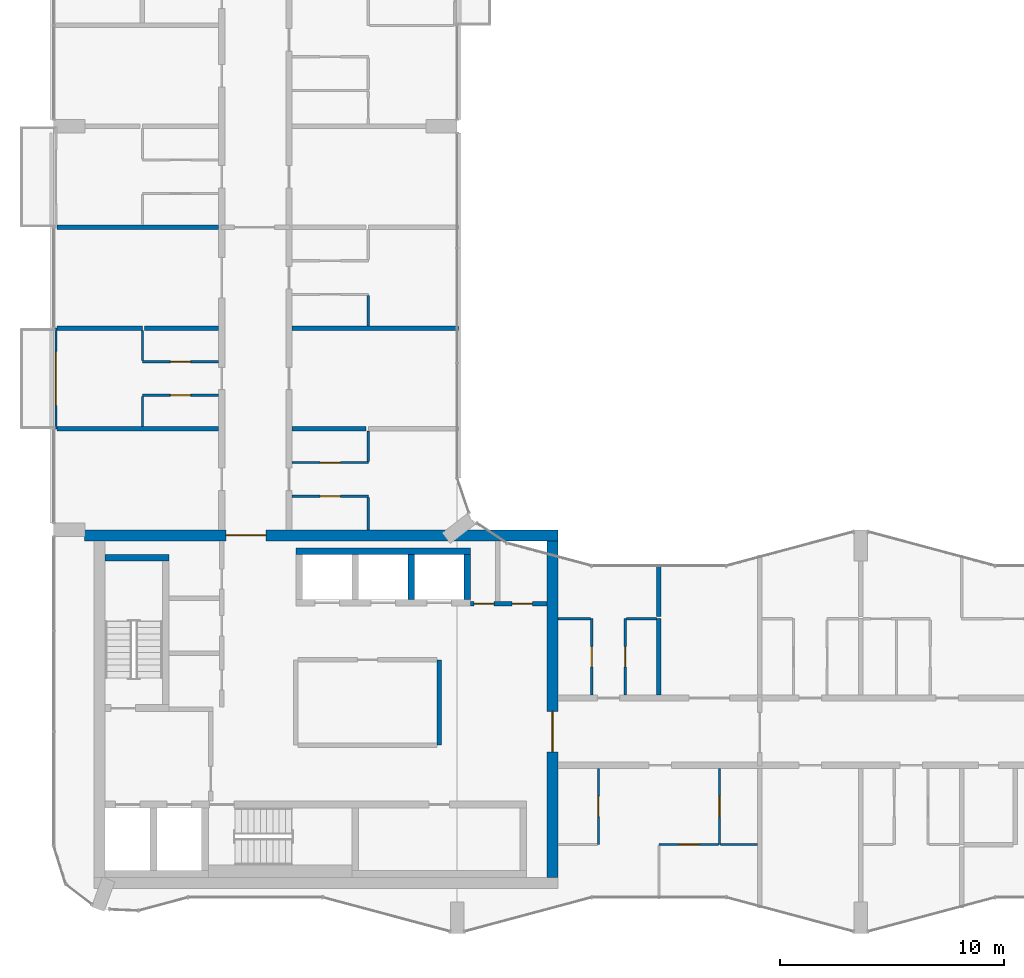
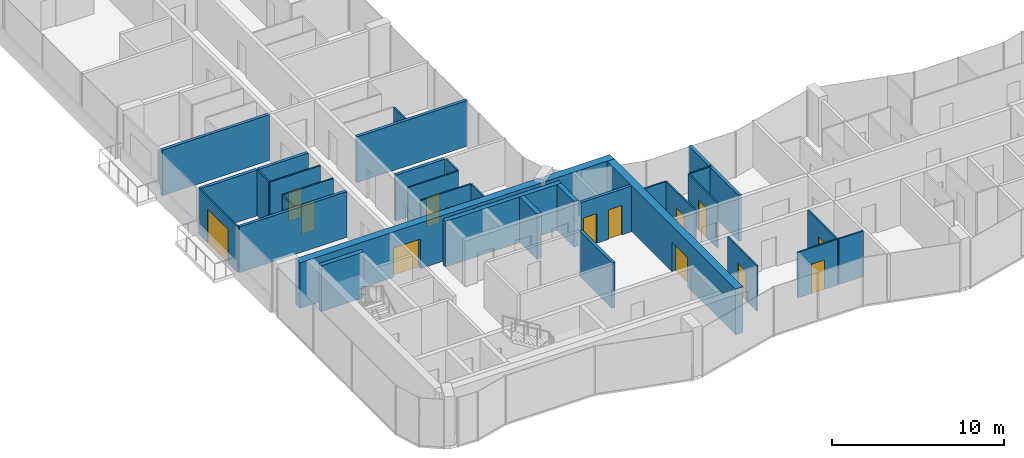
# One storey, part 10 of 16: 34 walls, 14 doors, 14 openings.
"""IFC4 building model written with IfcOpenShell, lengths in metres."""

from ifc_helpers import new_model, si_unit, direction, frame, frame_2d, origin, place, context, subcontext, project, spatial, rectangle, extrude, material, layer, layer_set, type_object, element, fill, save


model = new_model("IFC4")

# Units and contexts
model_context = context("Model", 3, precision=1e-05, world=origin(), true_north=direction((0.0, 1.0)))
body_context = subcontext(model_context, "Body", "Model", "MODEL_VIEW")
ifc_project = project(units=[si_unit("LENGTHUNIT", "METRE"), si_unit("AREAUNIT", "SQUARE_METRE"), si_unit("VOLUMEUNIT", "CUBIC_METRE"), si_unit("PLANEANGLEUNIT", "RADIAN"), si_unit("MASSUNIT", "GRAM", prefix="KILO")], contexts=[model_context])

# Site, building, storey
site_placement = place(None, origin())
site = spatial("IfcSite", under=ifc_project, at=site_placement, CompositionType="ELEMENT")
building_placement = place(site_placement, origin())
building = spatial("IfcBuilding", under=site, at=building_placement, Name="Plateau Cross Towers", CompositionType="ELEMENT")
storey_placement = place(building_placement, frame((0.0, 0.0, 215.39990234375)))
storey = spatial("IfcBuildingStorey", under=building, at=storey_placement, Name="L56", CompositionType="ELEMENT", Elevation=215.39990234375)

# Wall, opening, door
ifc_material_1 = material(Name="Aluminium framed glazing", Category="aluminium")
ifc_layer_1 = layer(ifc_material_1, 0.10009765625)
ifc_layer_set_1 = layer_set([ifc_layer_1], Name="Aluminium framed glazing")
wall_type_1 = type_object("IfcWallType", Name="Balcony screen wall 100", PredefinedType="STANDARD", material=ifc_layer_set_1)
wall_1_placement = place(storey_placement, frame((0.10009765625, 22.5, 0.0), z_axis=(0.0, 0.0, 1.0), x_axis=(0.0, 1.0, 0.0)))
wall_1 = element("IfcWall", 1, at=wall_1_placement, inside=storey, type_object=wall_type_1, Name="Balcony screen wall A-BAL-L56-01", PredefinedType="STANDARD", context=body_context, shape_type="SweptSolid", body=[
    extrude(rectangle(XDim=4.5, YDim=0.10009765625, at=frame_2d((2.25, 0.0))), origin(), (0.0, 0.0, 1.0), 3.25),
])
opening_1_placement = place(wall_1_placement, frame((1.050048828125, 0.0, 0.0)))
opening_1 = element("IfcOpeningElement", 2, at=opening_1_placement, cuts=wall_1, Name="Opening D-B24", PredefinedType="OPENING", context=body_context, shape_type="SweptSolid", body=[
    extrude(rectangle(XDim=2.39990234375, YDim=2.39990234375, at=frame_2d((1.199951171875, 1.199951171875))), frame((0.0, 0.06005859375, 0.0), z_axis=(0.0, -1.0, 0.0), x_axis=(1.0, 0.0, 0.0)), (0.0, 0.0, 1.0), 0.1201171875),
])
ifc_material_2 = material(Name="Aluminium frame, double glazing", Category="aluminium")
door_type_1 = type_object("IfcDoorType", Name="Balcony sliding door 2400", OperationType="NOTDEFINED", PredefinedType="DOOR", material=ifc_material_2)
door_1_placement = place(opening_1_placement, origin())
door_1 = element("IfcDoor", 3, at=door_1_placement, inside=storey, type_object=door_type_1, Name="Balcony door A-BAL-L56-01", OperationType="SINGLE_SWING_LEFT", OverallHeight=2.39990234375, OverallWidth=2.39990234375, PredefinedType="DOOR", context=body_context, shape_type="SweptSolid", body=[
    extrude(rectangle(XDim=2.39990234375, YDim=2.39990234375, at=frame_2d((1.199951171875, 1.199951171875))), frame((0.0, 0.02490234375, 0.0), z_axis=(0.0, -1.0, 0.0), x_axis=(1.0, 0.0, 0.0)), (0.0, 0.0, 1.0), 0.050048828125),
])
fill(opening_1, door_1)

# Wall
ifc_material_3 = material(Name="Concrete block, plastered both sides", Category="concrete")
ifc_layer_2 = layer(ifc_material_3, 0.199951171875)
ifc_layer_set_2 = layer_set([ifc_layer_2], Name="Concrete block, plastered both sides")
wall_type_2 = type_object("IfcWallType", Name="Core partition 200", PredefinedType="PARTITIONING", material=ifc_layer_set_2)
wall_2_placement = place(storey_placement, frame((17.199951171875, 8.39990234375, 0.0), z_axis=(0.0, 0.0, 1.0), x_axis=(0.0, 1.0, 0.0)))
element("IfcWall", 4, at=wall_2_placement, inside=storey, type_object=wall_type_2, Name="Core partition", PredefinedType="PARTITIONING", context=body_context, shape_type="SweptSolid", body=[
    extrude(rectangle(XDim=3.800048828125, YDim=0.199951171875, at=frame_2d((1.89990234375, 0.0))), origin(), (0.0, 0.0, 1.0), 3.25),
])

# Wall, openings, doors
wall_3_placement = place(storey_placement, frame((18.60009765625, 14.699951171875, 0.0), z_axis=(0.0, 0.0, 1.0), x_axis=(1.0, 0.0, 0.0)))
wall_3 = element("IfcWall", 5, at=wall_3_placement, inside=storey, type_object=wall_type_2, Name="Core partition", PredefinedType="PARTITIONING", context=body_context, shape_type="SweptSolid", body=[
    extrude(rectangle(XDim=3.39990234375, YDim=0.199951171875, at=frame_2d((1.699951171875, 0.0))), origin(), (0.0, 0.0, 1.0), 3.25),
])
opening_2_placement = place(wall_3_placement, frame((0.14990234375, 0.0, 0.0)))
opening_2 = element("IfcOpeningElement", 6, at=opening_2_placement, cuts=wall_3, Name="Opening RD2", PredefinedType="OPENING", context=body_context, shape_type="SweptSolid", body=[
    extrude(rectangle(XDim=0.89990234375, YDim=2.10009765625, at=frame_2d((0.449951171875, 1.050048828125))), frame((0.0, 0.10986328125, 0.0), z_axis=(0.0, -1.0, 0.0), x_axis=(1.0, 0.0, 0.0)), (0.0, 0.0, 1.0), 0.219970703125),
])
opening_3_placement = place(wall_3_placement, frame((1.85009765625, 0.0, 0.0)))
opening_3 = element("IfcOpeningElement", 7, at=opening_3_placement, cuts=wall_3, Name="Opening RD2", PredefinedType="OPENING", context=body_context, shape_type="SweptSolid", body=[
    extrude(rectangle(XDim=0.89990234375, YDim=2.10009765625, at=frame_2d((0.449951171875, 1.050048828125))), frame((0.0, 0.10986328125, 0.0), z_axis=(0.0, -1.0, 0.0), x_axis=(1.0, 0.0, 0.0)), (0.0, 0.0, 1.0), 0.219970703125),
])
ifc_material_4 = material(Name="Steel, fire-resisting leaf", Category="steel")
door_type_2 = type_object("IfcDoorType", Name="Core riser door 900", OperationType="NOTDEFINED", PredefinedType="DOOR", material=ifc_material_4)
door_2_placement = place(opening_2_placement, origin())
door_2 = element("IfcDoor", 8, at=door_2_placement, inside=storey, type_object=door_type_2, Name="Core riser door RD2", OperationType="SINGLE_SWING_LEFT", OverallHeight=2.10009765625, OverallWidth=0.89990234375, PredefinedType="DOOR", context=body_context, shape_type="SweptSolid", body=[
    extrude(rectangle(XDim=0.89990234375, YDim=2.10009765625, at=frame_2d((0.449951171875, 1.050048828125))), frame((0.0, 0.02490234375, 0.0), z_axis=(0.0, -1.0, 0.0), x_axis=(1.0, 0.0, 0.0)), (0.0, 0.0, 1.0), 0.050048828125),
])
fill(opening_2, door_2)
door_3_placement = place(opening_3_placement, origin())
door_3 = element("IfcDoor", 9, at=door_3_placement, inside=storey, type_object=door_type_2, Name="Core riser door RD2", OperationType="SINGLE_SWING_LEFT", OverallHeight=2.10009765625, OverallWidth=0.89990234375, PredefinedType="DOOR", context=body_context, shape_type="SweptSolid", body=[
    extrude(rectangle(XDim=0.89990234375, YDim=2.10009765625, at=frame_2d((0.449951171875, 1.050048828125))), frame((0.0, 0.02490234375, 0.0), z_axis=(0.0, -1.0, 0.0), x_axis=(1.0, 0.0, 0.0)), (0.0, 0.0, 1.0), 0.050048828125),
])
fill(opening_3, door_3)

# Walls
ifc_material_5 = material(Name="Concrete C60/75", Category="concrete")
ifc_layer_3 = layer(ifc_material_5, 0.300048828125)
ifc_layer_set_3 = layer_set([ifc_layer_3], Name="Concrete C60/75")
wall_type_3 = type_object("IfcWallType", Name="Core shaft wall 300", PredefinedType="SHEAR", material=ifc_layer_set_3)
wall_4_placement = place(storey_placement, frame((2.300048828125, 16.75, 0.0), z_axis=(0.0, 0.0, 1.0), x_axis=(1.0, 0.0, 0.0)))
element("IfcWall", 10, at=wall_4_placement, inside=storey, type_object=wall_type_3, Name="A-st1-N@L56", PredefinedType="SHEAR", context=body_context, shape_type="SweptSolid", body=[
    extrude(rectangle(XDim=2.849853515625, YDim=0.300048828125, at=frame_2d((1.4248046875, 0.0))), origin(), (0.0, 0.0, 1.0), 3.25),
])
wall_5_placement = place(storey_placement, frame((10.800048828125, 17.050048828125, 0.0), z_axis=(0.0, 0.0, 1.0), x_axis=(1.0, 0.0, 0.0)))
element("IfcWall", 11, at=wall_5_placement, inside=storey, type_object=wall_type_3, Name="A-nb-back@L56", PredefinedType="SHEAR", context=body_context, shape_type="SweptSolid", body=[
    extrude(rectangle(XDim=7.800048828125, YDim=0.300048828125, at=frame_2d((3.89990234375, 0.0))), origin(), (0.0, 0.0, 1.0), 3.25),
])
for number, where, z_axis, x_axis, name in (
    (12, (15.949951171875, 14.89990234375, 0.0), (0.0, 0.0, 1.0), (0.0, 1.0, 0.0), "A-nb-v3@L56"),
    (13, (18.449951171875, 14.89990234375, 0.0), (0.0, 0.0, 1.0), (0.0, 1.0, 0.0), "A-nb-v4@L56"),
):
    element("IfcWall", number, at=place(storey_placement, frame(where, z_axis=z_axis, x_axis=x_axis)), inside=storey, type_object=wall_type_3, Name=name, PredefinedType="SHEAR", context=body_context, shape_type="SweptSolid", body=[
        extrude(rectangle(XDim=2.0, YDim=0.300048828125, at=frame_2d((1.0, 0.0))), origin(), (0.0, 0.0, 1.0), 3.25),
    ])

# Wall, opening, door
ifc_layer_4 = layer(ifc_material_5, 0.5)
ifc_layer_set_4 = layer_set([ifc_layer_4], Name="Concrete C60/75")
wall_type_4 = type_object("IfcWallType", Name="Core shell wall 500", PredefinedType="SHEAR", material=ifc_layer_set_4)
wall_6_placement = place(storey_placement, frame((1.3798828125, 17.75, 0.0), z_axis=(0.0, 0.0, 1.0), x_axis=(1.0, 0.0, 0.0)))
wall_6 = element("IfcWall", 14, at=wall_6_placement, inside=storey, type_object=wall_type_4, Name="A-core-N@L56", PredefinedType="SHEAR", context=body_context, shape_type="SweptSolid", body=[
    extrude(rectangle(XDim=21.1201171875, YDim=0.5, at=frame_2d((10.56005859375, 0.0))), origin(), (0.0, 0.0, 1.0), 3.25),
])
opening_4_placement = place(wall_6_placement, frame((6.300048828125, 0.0, 0.0)))
opening_4 = element("IfcOpeningElement", 15, at=opening_4_placement, cuts=wall_6, Name="Opening CD", PredefinedType="OPENING", context=body_context, shape_type="SweptSolid", body=[
    extrude(rectangle(XDim=1.800048828125, YDim=2.10009765625, at=frame_2d((0.89990234375, 1.050048828125))), frame((0.0, 0.260009765625, 0.0), z_axis=(0.0, -1.0, 0.0), x_axis=(1.0, 0.0, 0.0)), (0.0, 0.0, 1.0), 0.52001953125),
])
ifc_material_6 = material(Name="Steel, fire-resisting leaves", Category="steel")
door_type_3 = type_object("IfcDoorType", Name="Corridor door pair 1800", OperationType="NOTDEFINED", PredefinedType="DOOR", material=ifc_material_6)
door_4_placement = place(opening_4_placement, origin())
door_4 = element("IfcDoor", 16, at=door_4_placement, inside=storey, type_object=door_type_3, Name="Corridor door pair CD", OperationType="DOUBLE_DOOR_SINGLE_SWING", OverallHeight=2.10009765625, OverallWidth=1.800048828125, PredefinedType="DOOR", context=body_context, shape_type="SweptSolid", body=[
    extrude(rectangle(XDim=1.800048828125, YDim=2.10009765625, at=frame_2d((0.89990234375, 1.050048828125))), frame((0.0, 0.02490234375, 0.0), z_axis=(0.0, -1.0, 0.0), x_axis=(1.0, 0.0, 0.0)), (0.0, 0.0, 1.0), 0.050048828125),
])
fill(opening_4, door_4)

wall_7_placement = place(storey_placement, frame((22.25, 2.5, 0.0), z_axis=(0.0, 0.0, 1.0), x_axis=(0.0, 1.0, 0.0)))
wall_7 = element("IfcWall", 17, at=wall_7_placement, inside=storey, type_object=wall_type_4, Name="A-core-E@L56", PredefinedType="SHEAR", context=body_context, shape_type="SweptSolid", body=[
    extrude(rectangle(XDim=15.0, YDim=0.5, at=frame_2d((7.5, 0.0))), origin(), (0.0, 0.0, 1.0), 3.25),
])
opening_5_placement = place(wall_7_placement, frame((5.60009765625, 0.0, 0.0)))
opening_5 = element("IfcOpeningElement", 18, at=opening_5_placement, cuts=wall_7, Name="Opening CD", PredefinedType="OPENING", context=body_context, shape_type="SweptSolid", body=[
    extrude(rectangle(XDim=1.800048828125, YDim=2.10009765625, at=frame_2d((0.89990234375, 1.050048828125))), frame((0.0, 0.260009765625, 0.0), z_axis=(0.0, -1.0, 0.0), x_axis=(1.0, 0.0, 0.0)), (0.0, 0.0, 1.0), 0.52001953125),
])
door_5_placement = place(opening_5_placement, origin())
door_5 = element("IfcDoor", 19, at=door_5_placement, inside=storey, type_object=door_type_3, Name="Corridor door pair CD", OperationType="DOUBLE_DOOR_SINGLE_SWING", OverallHeight=2.10009765625, OverallWidth=1.800048828125, PredefinedType="DOOR", context=body_context, shape_type="SweptSolid", body=[
    extrude(rectangle(XDim=1.800048828125, YDim=2.10009765625, at=frame_2d((0.89990234375, 1.050048828125))), frame((0.0, 0.02490234375, 0.0), z_axis=(0.0, -1.0, 0.0), x_axis=(1.0, 0.0, 0.0)), (0.0, 0.0, 1.0), 0.050048828125),
])
fill(opening_5, door_5)

ifc_material_7 = material(Name="Gypsum board on steel studs", Category="steel")
ifc_layer_5 = layer(ifc_material_7, 0.10009765625)
ifc_layer_set_5 = layer_set([ifc_layer_5], Name="Gypsum board on steel studs")
wall_type_5 = type_object("IfcWallType", Name="Flat partition 100", PredefinedType="PARTITIONING", material=ifc_layer_set_5)
wall_8_placement = place(storey_placement, frame((29.64990234375, 3.96240234375, 0.0), z_axis=(0.0, 0.0, 1.0), x_axis=(-1.0, 0.0, 0.0)))
wall_8 = element("IfcWall", 20, at=wall_8_placement, inside=storey, type_object=wall_type_5, Name="Partition wall", PredefinedType="PARTITIONING", context=body_context, shape_type="SweptSolid", body=[
    extrude(rectangle(XDim=2.64990234375, YDim=0.10009765625, at=frame_2d((1.324951171875, 0.0))), origin(), (0.0, 0.0, 1.0), 3.25),
])
opening_6_placement = place(wall_8_placement, frame((0.85009765625, 0.0, 0.0)))
opening_6 = element("IfcOpeningElement", 21, at=opening_6_placement, cuts=wall_8, Name="Opening 56-28", PredefinedType="OPENING", context=body_context, shape_type="SweptSolid", body=[
    extrude(rectangle(XDim=0.89990234375, YDim=2.10009765625, at=frame_2d((0.449951171875, 1.050048828125))), frame((0.0, 0.06005859375, 0.0), z_axis=(0.0, -1.0, 0.0), x_axis=(1.0, 0.0, 0.0)), (0.0, 0.0, 1.0), 0.1201171875),
])
ifc_material_8 = material(Name="Timber leaf", Category="wood")
door_type_4 = type_object("IfcDoorType", Name="Flat room door 900", OperationType="NOTDEFINED", PredefinedType="DOOR", material=ifc_material_8)
door_6_placement = place(opening_6_placement, origin())
door_6 = element("IfcDoor", 22, at=door_6_placement, inside=storey, type_object=door_type_4, Name="Door 56-28", OperationType="SINGLE_SWING_LEFT", OverallHeight=2.10009765625, OverallWidth=0.89990234375, PredefinedType="DOOR", context=body_context, shape_type="SweptSolid", body=[
    extrude(rectangle(XDim=0.89990234375, YDim=2.10009765625, at=frame_2d((0.449951171875, 1.050048828125))), frame((0.0, 0.02490234375, 0.0), z_axis=(0.0, -1.0, 0.0), x_axis=(1.0, 0.0, 0.0)), (0.0, 0.0, 1.0), 0.050048828125),
])
fill(opening_6, door_6)

# Walls
wall_9_placement = place(storey_placement, frame((29.75, 3.96240234375, 0.0), z_axis=(0.0, 0.0, 1.0), x_axis=(1.0, 0.0, 0.0)))
element("IfcWall", 23, at=wall_9_placement, inside=storey, type_object=wall_type_5, Name="Partition wall", PredefinedType="PARTITIONING", context=body_context, shape_type="SweptSolid", body=[
    extrude(rectangle(XDim=1.64990234375, YDim=0.10009765625, at=frame_2d((0.824951171875, 0.0))), origin(), (0.0, 0.0, 1.0), 3.25),
])
wall_10_placement = place(storey_placement, frame((23.949951171875, 14.03759765625, 0.0), z_axis=(0.0, 0.0, 1.0), x_axis=(-1.0, 0.0, 0.0)))
element("IfcWall", 24, at=wall_10_placement, inside=storey, type_object=wall_type_5, Name="Partition wall", PredefinedType="PARTITIONING", context=body_context, shape_type="SweptSolid", body=[
    extrude(rectangle(XDim=1.449951171875, YDim=0.10009765625, at=frame_2d((0.72509765625, 0.0))), origin(), (0.0, 0.0, 1.0), 3.25),
])
wall_11_placement = place(storey_placement, frame((26.89990234375, 14.03759765625, 0.0), z_axis=(0.0, 0.0, 1.0), x_axis=(-1.0, 0.0, 0.0)))
element("IfcWall", 25, at=wall_11_placement, inside=storey, type_object=wall_type_5, Name="Partition wall", PredefinedType="PARTITIONING", context=body_context, shape_type="SweptSolid", body=[
    extrude(rectangle(XDim=1.349853515625, YDim=0.10009765625, at=frame_2d((0.6748046875, 0.0))), origin(), (0.0, 0.0, 1.0), 3.25),
])

# Wall, opening, door
wall_12_placement = place(storey_placement, frame((14.03759765625, 19.5, 0.0), z_axis=(0.0, 0.0, 1.0), x_axis=(-1.0, 0.0, 0.0)))
wall_12 = element("IfcWall", 26, at=wall_12_placement, inside=storey, type_object=wall_type_5, Name="Partition wall", PredefinedType="PARTITIONING", context=body_context, shape_type="SweptSolid", body=[
    extrude(rectangle(XDim=3.400146484375, YDim=0.10009765625, at=frame_2d((1.7001953125, 0.0))), origin(), (0.0, 0.0, 1.0), 3.25),
])
opening_7_placement = place(wall_12_placement, frame((1.25, 0.0, 0.0)))
opening_7 = element("IfcOpeningElement", 27, at=opening_7_placement, cuts=wall_12, Name="Opening 56-44", PredefinedType="OPENING", context=body_context, shape_type="SweptSolid", body=[
    extrude(rectangle(XDim=0.89990234375, YDim=2.10009765625, at=frame_2d((0.449951171875, 1.050048828125))), frame((0.0, 0.06005859375, 0.0), z_axis=(0.0, -1.0, 0.0), x_axis=(1.0, 0.0, 0.0)), (0.0, 0.0, 1.0), 0.1201171875),
])
door_7_placement = place(opening_7_placement, origin())
door_7 = element("IfcDoor", 28, at=door_7_placement, inside=storey, type_object=door_type_4, Name="Door 56-44", OperationType="SINGLE_SWING_LEFT", OverallHeight=2.10009765625, OverallWidth=0.89990234375, PredefinedType="DOOR", context=body_context, shape_type="SweptSolid", body=[
    extrude(rectangle(XDim=0.89990234375, YDim=2.10009765625, at=frame_2d((0.449951171875, 1.050048828125))), frame((0.0, 0.02490234375, 0.0), z_axis=(0.0, -1.0, 0.0), x_axis=(1.0, 0.0, 0.0)), (0.0, 0.0, 1.0), 0.050048828125),
])
fill(opening_7, door_7)

wall_13_placement = place(storey_placement, frame((10.637451171875, 21.0, 0.0), z_axis=(0.0, 0.0, 1.0), x_axis=(1.0, 0.0, 0.0)))
wall_13 = element("IfcWall", 29, at=wall_13_placement, inside=storey, type_object=wall_type_5, Name="Partition wall", PredefinedType="PARTITIONING", context=body_context, shape_type="SweptSolid", body=[
    extrude(rectangle(XDim=3.400146484375, YDim=0.10009765625, at=frame_2d((1.7001953125, 0.0))), origin(), (0.0, 0.0, 1.0), 3.25),
])
opening_8_placement = place(wall_13_placement, frame((1.25, 0.0, 0.0)))
opening_8 = element("IfcOpeningElement", 30, at=opening_8_placement, cuts=wall_13, Name="Opening 56-45", PredefinedType="OPENING", context=body_context, shape_type="SweptSolid", body=[
    extrude(rectangle(XDim=0.89990234375, YDim=2.10009765625, at=frame_2d((0.449951171875, 1.050048828125))), frame((0.0, 0.06005859375, 0.0), z_axis=(0.0, -1.0, 0.0), x_axis=(1.0, 0.0, 0.0)), (0.0, 0.0, 1.0), 0.1201171875),
])
door_8_placement = place(opening_8_placement, origin())
door_8 = element("IfcDoor", 31, at=door_8_placement, inside=storey, type_object=door_type_4, Name="Door 56-45", OperationType="SINGLE_SWING_LEFT", OverallHeight=2.10009765625, OverallWidth=0.89990234375, PredefinedType="DOOR", context=body_context, shape_type="SweptSolid", body=[
    extrude(rectangle(XDim=0.89990234375, YDim=2.10009765625, at=frame_2d((0.449951171875, 1.050048828125))), frame((0.0, 0.02490234375, 0.0), z_axis=(0.0, -1.0, 0.0), x_axis=(1.0, 0.0, 0.0)), (0.0, 0.0, 1.0), 0.050048828125),
])
fill(opening_8, door_8)

wall_14_placement = place(storey_placement, frame((7.362548828125, 24.0, 0.0), z_axis=(0.0, 0.0, 1.0), x_axis=(-1.0, 0.0, 0.0)))
wall_14 = element("IfcWall", 32, at=wall_14_placement, inside=storey, type_object=wall_type_5, Name="Partition wall", PredefinedType="PARTITIONING", context=body_context, shape_type="SweptSolid", body=[
    extrude(rectangle(XDim=3.400146484375, YDim=0.10009765625, at=frame_2d((1.7001953125, 0.0))), origin(), (0.0, 0.0, 1.0), 3.25),
])
opening_9_placement = place(wall_14_placement, frame((1.25, 0.0, 0.0)))
opening_9 = element("IfcOpeningElement", 33, at=opening_9_placement, cuts=wall_14, Name="Opening 56-40", PredefinedType="OPENING", context=body_context, shape_type="SweptSolid", body=[
    extrude(rectangle(XDim=0.89990234375, YDim=2.10009765625, at=frame_2d((0.449951171875, 1.050048828125))), frame((0.0, 0.06005859375, 0.0), z_axis=(0.0, -1.0, 0.0), x_axis=(1.0, 0.0, 0.0)), (0.0, 0.0, 1.0), 0.1201171875),
])
door_9_placement = place(opening_9_placement, origin())
door_9 = element("IfcDoor", 34, at=door_9_placement, inside=storey, type_object=door_type_4, Name="Door 56-40", OperationType="SINGLE_SWING_LEFT", OverallHeight=2.10009765625, OverallWidth=0.89990234375, PredefinedType="DOOR", context=body_context, shape_type="SweptSolid", body=[
    extrude(rectangle(XDim=0.89990234375, YDim=2.10009765625, at=frame_2d((0.449951171875, 1.050048828125))), frame((0.0, 0.02490234375, 0.0), z_axis=(0.0, -1.0, 0.0), x_axis=(1.0, 0.0, 0.0)), (0.0, 0.0, 1.0), 0.050048828125),
])
fill(opening_9, door_9)

wall_15_placement = place(storey_placement, frame((3.96240234375, 25.5, 0.0), z_axis=(0.0, 0.0, 1.0), x_axis=(1.0, 0.0, 0.0)))
wall_15 = element("IfcWall", 35, at=wall_15_placement, inside=storey, type_object=wall_type_5, Name="Partition wall", PredefinedType="PARTITIONING", context=body_context, shape_type="SweptSolid", body=[
    extrude(rectangle(XDim=3.400146484375, YDim=0.10009765625, at=frame_2d((1.7001953125, 0.0))), origin(), (0.0, 0.0, 1.0), 3.25),
])
opening_10_placement = place(wall_15_placement, frame((1.25, 0.0, 0.0)))
opening_10 = element("IfcOpeningElement", 36, at=opening_10_placement, cuts=wall_15, Name="Opening 56-41", PredefinedType="OPENING", context=body_context, shape_type="SweptSolid", body=[
    extrude(rectangle(XDim=0.89990234375, YDim=2.10009765625, at=frame_2d((0.449951171875, 1.050048828125))), frame((0.0, 0.06005859375, 0.0), z_axis=(0.0, -1.0, 0.0), x_axis=(1.0, 0.0, 0.0)), (0.0, 0.0, 1.0), 0.1201171875),
])
door_10_placement = place(opening_10_placement, origin())
door_10 = element("IfcDoor", 37, at=door_10_placement, inside=storey, type_object=door_type_4, Name="Door 56-41", OperationType="SINGLE_SWING_LEFT", OverallHeight=2.10009765625, OverallWidth=0.89990234375, PredefinedType="DOOR", context=body_context, shape_type="SweptSolid", body=[
    extrude(rectangle(XDim=0.89990234375, YDim=2.10009765625, at=frame_2d((0.449951171875, 1.050048828125))), frame((0.0, 0.02490234375, 0.0), z_axis=(0.0, -1.0, 0.0), x_axis=(1.0, 0.0, 0.0)), (0.0, 0.0, 1.0), 0.050048828125),
])
fill(opening_10, door_10)

# Walls
for number, where, z_axis, x_axis, name in (
    (38, (3.96240234375, 23.949951171875, 0.0), (0.0, 0.0, 1.0), (0.0, -1.0, 0.0), "Partition wall"),
    (39, (3.96240234375, 26.89990234375, 0.0), (0.0, 0.0, 1.0), (0.0, -1.0, 0.0), "Partition wall"),
):
    element("IfcWall", number, at=place(storey_placement, frame(where, z_axis=z_axis, x_axis=x_axis)), inside=storey, type_object=wall_type_5, Name=name, PredefinedType="PARTITIONING", context=body_context, shape_type="SweptSolid", body=[
        extrude(rectangle(XDim=1.349853515625, YDim=0.10009765625, at=frame_2d((0.6748046875, 0.0))), origin(), (0.0, 0.0, 1.0), 3.25),
    ])
wall_16_placement = place(storey_placement, frame((14.03759765625, 18.0, 0.0), z_axis=(0.0, 0.0, 1.0), x_axis=(0.0, 1.0, 0.0)))
element("IfcWall", 40, at=wall_16_placement, inside=storey, type_object=wall_type_5, Name="Partition wall", PredefinedType="PARTITIONING", context=body_context, shape_type="SweptSolid", body=[
    extrude(rectangle(XDim=1.449951171875, YDim=0.10009765625, at=frame_2d((0.72509765625, 0.0))), origin(), (0.0, 0.0, 1.0), 3.25),
])
for number, where, z_axis, x_axis, name in (
    (41, (14.03759765625, 21.050048828125, 0.0), (0.0, 0.0, 1.0), (0.0, 1.0, 0.0), "Partition wall"),
    (42, (14.03759765625, 27.10009765625, 0.0), (0.0, 0.0, 1.0), (0.0, 1.0, 0.0), "Partition wall"),
):
    element("IfcWall", number, at=place(storey_placement, frame(where, z_axis=z_axis, x_axis=x_axis)), inside=storey, type_object=wall_type_5, Name=name, PredefinedType="PARTITIONING", context=body_context, shape_type="SweptSolid", body=[
        extrude(rectangle(XDim=1.349853515625, YDim=0.10009765625, at=frame_2d((0.6748046875, 0.0))), origin(), (0.0, 0.0, 1.0), 3.25),
    ])

# Wall, opening, door
wall_17_placement = place(storey_placement, frame((24.0, 10.637451171875, 0.0), z_axis=(0.0, 0.0, 1.0), x_axis=(0.0, 1.0, 0.0)))
wall_17 = element("IfcWall", 43, at=wall_17_placement, inside=storey, type_object=wall_type_5, Name="Partition wall", PredefinedType="PARTITIONING", context=body_context, shape_type="SweptSolid", body=[
    extrude(rectangle(XDim=3.400146484375, YDim=0.10009765625, at=frame_2d((1.7001953125, 0.0))), origin(), (0.0, 0.0, 1.0), 3.25),
])
opening_11_placement = place(wall_17_placement, frame((1.25, 0.0, 0.0)))
opening_11 = element("IfcOpeningElement", 44, at=opening_11_placement, cuts=wall_17, Name="Opening 56-31", PredefinedType="OPENING", context=body_context, shape_type="SweptSolid", body=[
    extrude(rectangle(XDim=0.89990234375, YDim=2.10009765625, at=frame_2d((0.449951171875, 1.050048828125))), frame((0.0, 0.06005859375, 0.0), z_axis=(0.0, -1.0, 0.0), x_axis=(1.0, 0.0, 0.0)), (0.0, 0.0, 1.0), 0.1201171875),
])
door_11_placement = place(opening_11_placement, origin())
door_11 = element("IfcDoor", 45, at=door_11_placement, inside=storey, type_object=door_type_4, Name="Door 56-31", OperationType="SINGLE_SWING_LEFT", OverallHeight=2.10009765625, OverallWidth=0.89990234375, PredefinedType="DOOR", context=body_context, shape_type="SweptSolid", body=[
    extrude(rectangle(XDim=0.89990234375, YDim=2.10009765625, at=frame_2d((0.449951171875, 1.050048828125))), frame((0.0, 0.02490234375, 0.0), z_axis=(0.0, -1.0, 0.0), x_axis=(1.0, 0.0, 0.0)), (0.0, 0.0, 1.0), 0.050048828125),
])
fill(opening_11, door_11)

wall_18_placement = place(storey_placement, frame((24.300048828125, 3.96240234375, 0.0), z_axis=(0.0, 0.0, 1.0), x_axis=(0.0, 1.0, 0.0)))
wall_18 = element("IfcWall", 46, at=wall_18_placement, inside=storey, type_object=wall_type_5, Name="Partition wall", PredefinedType="PARTITIONING", context=body_context, shape_type="SweptSolid", body=[
    extrude(rectangle(XDim=3.400146484375, YDim=0.10009765625, at=frame_2d((1.7001953125, 0.0))), origin(), (0.0, 0.0, 1.0), 3.25),
])
opening_12_placement = place(wall_18_placement, frame((1.25, 0.0, 0.0)))
opening_12 = element("IfcOpeningElement", 47, at=opening_12_placement, cuts=wall_18, Name="Opening 56-26", PredefinedType="OPENING", context=body_context, shape_type="SweptSolid", body=[
    extrude(rectangle(XDim=0.89990234375, YDim=2.10009765625, at=frame_2d((0.449951171875, 1.050048828125))), frame((0.0, 0.06005859375, 0.0), z_axis=(0.0, -1.0, 0.0), x_axis=(1.0, 0.0, 0.0)), (0.0, 0.0, 1.0), 0.1201171875),
])
door_12_placement = place(opening_12_placement, origin())
door_12 = element("IfcDoor", 48, at=door_12_placement, inside=storey, type_object=door_type_4, Name="Door 56-26", OperationType="SINGLE_SWING_LEFT", OverallHeight=2.10009765625, OverallWidth=0.89990234375, PredefinedType="DOOR", context=body_context, shape_type="SweptSolid", body=[
    extrude(rectangle(XDim=0.89990234375, YDim=2.10009765625, at=frame_2d((0.449951171875, 1.050048828125))), frame((0.0, 0.02490234375, 0.0), z_axis=(0.0, -1.0, 0.0), x_axis=(1.0, 0.0, 0.0)), (0.0, 0.0, 1.0), 0.050048828125),
])
fill(opening_12, door_12)

wall_19_placement = place(storey_placement, frame((25.5, 14.03759765625, 0.0), z_axis=(0.0, 0.0, 1.0), x_axis=(0.0, -1.0, 0.0)))
wall_19 = element("IfcWall", 49, at=wall_19_placement, inside=storey, type_object=wall_type_5, Name="Partition wall", PredefinedType="PARTITIONING", context=body_context, shape_type="SweptSolid", body=[
    extrude(rectangle(XDim=3.400146484375, YDim=0.10009765625, at=frame_2d((1.7001953125, 0.0))), origin(), (0.0, 0.0, 1.0), 3.25),
])
opening_13_placement = place(wall_19_placement, frame((1.25, 0.0, 0.0)))
opening_13 = element("IfcOpeningElement", 50, at=opening_13_placement, cuts=wall_19, Name="Opening 56-32", PredefinedType="OPENING", context=body_context, shape_type="SweptSolid", body=[
    extrude(rectangle(XDim=0.89990234375, YDim=2.10009765625, at=frame_2d((0.449951171875, 1.050048828125))), frame((0.0, 0.06005859375, 0.0), z_axis=(0.0, -1.0, 0.0), x_axis=(1.0, 0.0, 0.0)), (0.0, 0.0, 1.0), 0.1201171875),
])
door_13_placement = place(opening_13_placement, origin())
door_13 = element("IfcDoor", 51, at=door_13_placement, inside=storey, type_object=door_type_4, Name="Door 56-32", OperationType="SINGLE_SWING_LEFT", OverallHeight=2.10009765625, OverallWidth=0.89990234375, PredefinedType="DOOR", context=body_context, shape_type="SweptSolid", body=[
    extrude(rectangle(XDim=0.89990234375, YDim=2.10009765625, at=frame_2d((0.449951171875, 1.050048828125))), frame((0.0, 0.02490234375, 0.0), z_axis=(0.0, -1.0, 0.0), x_axis=(1.0, 0.0, 0.0)), (0.0, 0.0, 1.0), 0.050048828125),
])
fill(opening_13, door_13)

wall_20_placement = place(storey_placement, frame((29.699951171875, 7.362548828125, 0.0), z_axis=(0.0, 0.0, 1.0), x_axis=(0.0, -1.0, 0.0)))
wall_20 = element("IfcWall", 52, at=wall_20_placement, inside=storey, type_object=wall_type_5, Name="Partition wall", PredefinedType="PARTITIONING", context=body_context, shape_type="SweptSolid", body=[
    extrude(rectangle(XDim=3.400146484375, YDim=0.10009765625, at=frame_2d((1.7001953125, 0.0))), origin(), (0.0, 0.0, 1.0), 3.25),
])
opening_14_placement = place(wall_20_placement, frame((1.25, 0.0, 0.0)))
opening_14 = element("IfcOpeningElement", 53, at=opening_14_placement, cuts=wall_20, Name="Opening 56-27", PredefinedType="OPENING", context=body_context, shape_type="SweptSolid", body=[
    extrude(rectangle(XDim=0.89990234375, YDim=2.10009765625, at=frame_2d((0.449951171875, 1.050048828125))), frame((0.0, 0.06005859375, 0.0), z_axis=(0.0, -1.0, 0.0), x_axis=(1.0, 0.0, 0.0)), (0.0, 0.0, 1.0), 0.1201171875),
])
door_14_placement = place(opening_14_placement, origin())
door_14 = element("IfcDoor", 54, at=door_14_placement, inside=storey, type_object=door_type_4, Name="Door 56-27", OperationType="SINGLE_SWING_LEFT", OverallHeight=2.10009765625, OverallWidth=0.89990234375, PredefinedType="DOOR", context=body_context, shape_type="SweptSolid", body=[
    extrude(rectangle(XDim=0.89990234375, YDim=2.10009765625, at=frame_2d((0.449951171875, 1.050048828125))), frame((0.0, 0.02490234375, 0.0), z_axis=(0.0, -1.0, 0.0), x_axis=(1.0, 0.0, 0.0)), (0.0, 0.0, 1.0), 0.050048828125),
])
fill(opening_14, door_14)

# Walls
ifc_material_9 = material(Name="Gypsum board on steel studs, two layers each side", Category="steel")
ifc_layer_6 = layer(ifc_material_9, 0.199951171875)
ifc_layer_set_6 = layer_set([ifc_layer_6], Name="Gypsum board on steel studs, two layers each side")
wall_type_6 = type_object("IfcWallType", Name="Flat party wall 200", PredefinedType="PARTITIONING", material=ifc_layer_set_6)
wall_21_placement = place(storey_placement, frame((7.362548828125, 22.5, 0.0), z_axis=(0.0, 0.0, 1.0), x_axis=(-1.0, 0.0, 0.0)))
element("IfcWall", 55, at=wall_21_placement, inside=storey, type_object=wall_type_6, Name="Party wall", PredefinedType="PARTITIONING", context=body_context, shape_type="SweptSolid", body=[
    extrude(rectangle(XDim=7.212646484375, YDim=0.199951171875, at=frame_2d((3.6064453125, 0.0))), origin(), (0.0, 0.0, 1.0), 3.25),
])
for number, where, z_axis, x_axis, name in (
    (56, (13.9375, 22.5, 0.0), (0.0, 0.0, 1.0), (-1.0, 0.0, 0.0), "Party wall"),
    (57, (7.362548828125, 27.0, 0.0), (0.0, 0.0, 1.0), (-1.0, 0.0, 0.0), "Party wall"),
):
    element("IfcWall", number, at=place(storey_placement, frame(where, z_axis=z_axis, x_axis=x_axis)), inside=storey, type_object=wall_type_6, Name=name, PredefinedType="PARTITIONING", context=body_context, shape_type="SweptSolid", body=[
        extrude(rectangle(XDim=3.300048828125, YDim=0.199951171875, at=frame_2d((1.64990234375, 0.0))), origin(), (0.0, 0.0, 1.0), 3.25),
    ])
wall_22_placement = place(storey_placement, frame((18.080078125, 27.0, 0.0), z_axis=(0.0, 0.0, 1.0), x_axis=(-1.0, 0.0, 0.0)))
element("IfcWall", 58, at=wall_22_placement, inside=storey, type_object=wall_type_6, Name="Party wall", PredefinedType="PARTITIONING", context=body_context, shape_type="SweptSolid", body=[
    extrude(rectangle(XDim=7.442626953125, YDim=0.199951171875, at=frame_2d((3.72119140625, 0.0))), origin(), (0.0, 0.0, 1.0), 3.25),
])
wall_23_placement = place(storey_placement, frame((0.14990234375, 27.0, 0.0), z_axis=(0.0, 0.0, 1.0), x_axis=(1.0, 0.0, 0.0)))
element("IfcWall", 59, at=wall_23_placement, inside=storey, type_object=wall_type_6, Name="Party wall", PredefinedType="PARTITIONING", context=body_context, shape_type="SweptSolid", body=[
    extrude(rectangle(XDim=3.8125, YDim=0.199951171875, at=frame_2d((1.90625, 0.0))), origin(), (0.0, 0.0, 1.0), 3.25),
])
wall_24_placement = place(storey_placement, frame((7.362548828125, 31.5, 0.0), z_axis=(0.0, 0.0, 1.0), x_axis=(-1.0, 0.0, 0.0)))
element("IfcWall", 60, at=wall_24_placement, inside=storey, type_object=wall_type_6, Name="Party wall", PredefinedType="PARTITIONING", context=body_context, shape_type="SweptSolid", body=[
    extrude(rectangle(XDim=7.212646484375, YDim=0.199951171875, at=frame_2d((3.6064453125, 0.0))), origin(), (0.0, 0.0, 1.0), 3.25),
])
wall_25_placement = place(storey_placement, frame((27.0, 16.47314453125, 0.0), z_axis=(0.0, 0.0, 1.0), x_axis=(0.0, -1.0, 0.0)))
element("IfcWall", 61, at=wall_25_placement, inside=storey, type_object=wall_type_6, Name="Party wall", PredefinedType="PARTITIONING", context=body_context, shape_type="SweptSolid", body=[
    extrude(rectangle(XDim=2.335693359375, YDim=0.199951171875, at=frame_2d((1.16796875, 0.0))), origin(), (0.0, 0.0, 1.0), 3.25),
])
wall_26_placement = place(storey_placement, frame((27.0, 10.637451171875, 0.0), z_axis=(0.0, 0.0, 1.0), x_axis=(0.0, 1.0, 0.0)))
element("IfcWall", 62, at=wall_26_placement, inside=storey, type_object=wall_type_6, Name="Party wall", PredefinedType="PARTITIONING", context=body_context, shape_type="SweptSolid", body=[
    extrude(rectangle(XDim=3.400146484375, YDim=0.199951171875, at=frame_2d((1.7001953125, 0.0))), origin(), (0.0, 0.0, 1.0), 3.25),
])

save(model, "model.ifc")
